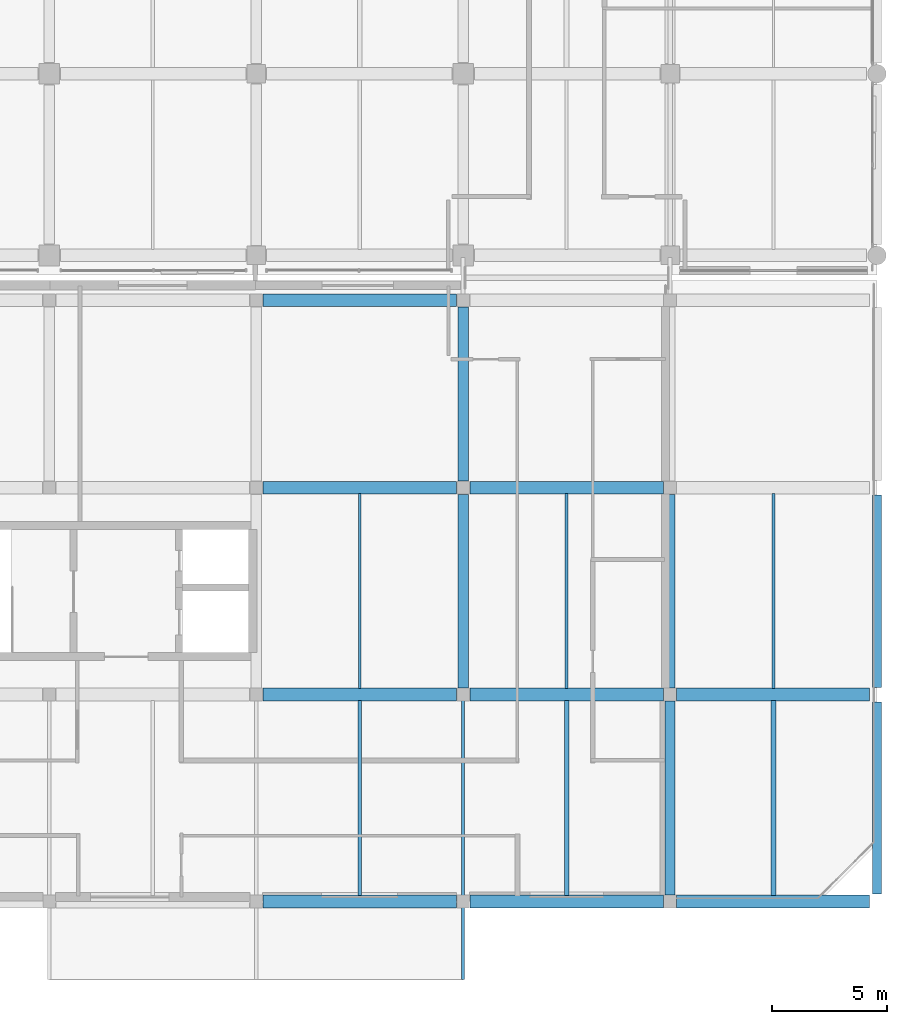
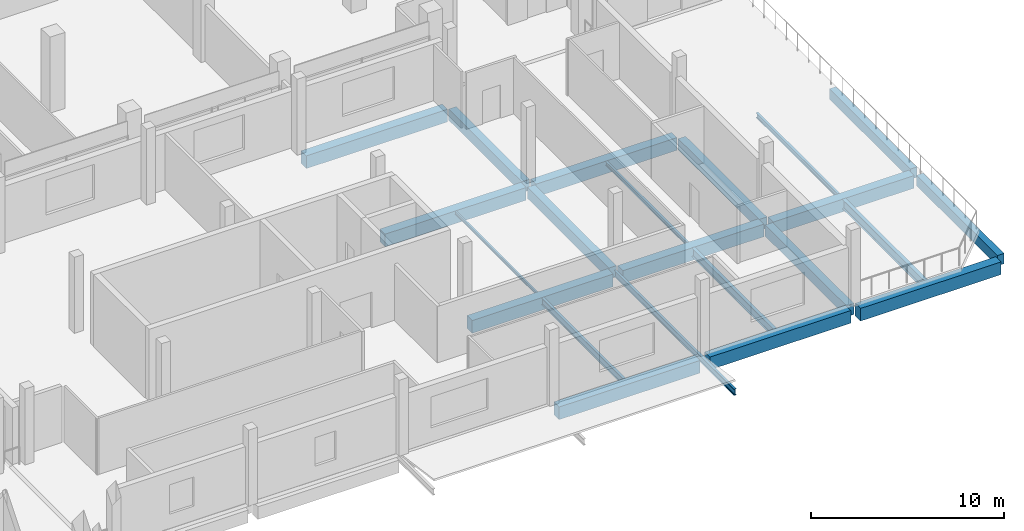
# One storey, part 29 of 111: 22 beams.
"""IFC4 building model written with IfcOpenShell, lengths in metres."""

from ifc_helpers import new_model, si_unit, direction, frame, origin, origin_2d, place, context, subcontext, project, spatial, rectangle, i_section, extrude, material, material_profile, profile_set, type_object, element, save


model = new_model("IFC4")

# Units and contexts
model_context = context("Model", 3, precision=1e-05, world=origin(), true_north=direction((0.0, 1.0)))
body_context = subcontext(model_context, "Body", "Model", "MODEL_VIEW")
ifc_project = project(units=[si_unit("LENGTHUNIT", "METRE"), si_unit("AREAUNIT", "SQUARE_METRE"), si_unit("VOLUMEUNIT", "CUBIC_METRE"), si_unit("PLANEANGLEUNIT", "RADIAN"), si_unit("MASSUNIT", "GRAM", prefix="KILO"), si_unit("THERMODYNAMICTEMPERATUREUNIT", "KELVIN"), si_unit("POWERUNIT", "WATT")], contexts=[model_context])

# Site, building, storey
site_placement = place(None, origin())
site = spatial("IfcSite", under=ifc_project, at=site_placement, CompositionType="ELEMENT")
building_placement = place(site_placement, origin())
building = spatial("IfcBuilding", under=site, at=building_placement, Name="Sindhuravela Promenade Stadium", CompositionType="ELEMENT")
storey_placement = place(building_placement, frame((0.0, 0.0, 9.60009765625)))
storey = spatial("IfcBuildingStorey", under=building, at=storey_placement, Name="L02", CompositionType="ELEMENT", Elevation=9.60009765625)

# Beams
ifc_material_1 = material(Name="Concrete M40", Category="concrete")
ifc_material_profile_1 = material_profile(ifc_material_1, rectangle(XDim=0.39990234375, YDim=0.64990234375, at=origin_2d()), Name="RC 400x650")
ifc_profile_set_1 = profile_set([ifc_material_profile_1], Name="Concrete M40")
beam_type_1 = type_object("IfcBeamType", Name="RC-BM-400x650", PredefinedType="SPANDREL", material=ifc_profile_set_1)
for number, where, z_axis, x_axis, name in (
    (1, (216.0, 9.31494140625, -0.635009765625), (0.0, 1.0, 0.0), (-1.0, 0.0, 0.0), "Primary beam SP01 Pavilion SE L02"),
    (2, (216.0, 18.31494140625, -0.635009765625), (0.0, 1.0, 0.0), (-1.0, 0.0, 0.0), "Primary beam SP01 Pavilion SE L02"),
):
    element("IfcBeam", number, at=place(storey_placement, frame(where, z_axis=z_axis, x_axis=x_axis)), inside=storey, type_object=beam_type_1, Name=name, PredefinedType="SPANDREL", context=body_context, shape_type="SweptSolid", body=[
        extrude(rectangle(XDim=0.39990234375, YDim=0.64990234375, at=origin_2d()), origin(), (0.0, 0.0, 1.0), 8.3701171875),
    ])
ifc_material_profile_2 = material_profile(ifc_material_1, rectangle(XDim=0.449951171875, YDim=0.699951171875, at=origin_2d()), Name="RC 450x700")
ifc_profile_set_2 = profile_set([ifc_material_profile_2], Name="Concrete M40")
beam_type_2 = type_object("IfcBeamType", Name="RC-BM-450x700", PredefinedType="BEAM", material=ifc_profile_set_2)
beam_1_placement = place(storey_placement, frame((198.0, 18.2900390625, -0.585205078125), z_axis=(0.0, 1.0, 0.0), x_axis=(-1.0, 0.0, 0.0)))
element("IfcBeam", 3, at=beam_1_placement, inside=storey, type_object=beam_type_2, Name="Primary beam GB07 Pavilion SE L02", PredefinedType="BEAM", context=body_context, shape_type="SweptSolid", body=[
    extrude(rectangle(XDim=0.449951171875, YDim=0.699951171875, at=origin_2d()), origin(), (0.0, 0.0, 1.0), 8.419921875),
])
beam_2_placement = place(storey_placement, frame((198.0, 27.2900390625, -0.585205078125), z_axis=(0.0, 1.0, 0.0), x_axis=(-1.0, 0.0, 0.0)))
element("IfcBeam", 4, at=beam_2_placement, inside=storey, type_object=beam_type_2, Name="Primary beam GB07 Pavilion SE L02", PredefinedType="BEAM", context=body_context, shape_type="SweptSolid", body=[
    extrude(rectangle(XDim=0.449951171875, YDim=0.699951171875, at=origin_2d()), origin(), (0.0, 0.0, 1.0), 7.570068359375),
])
for number, where, z_axis, x_axis, name in (
    (5, (207.0, 9.2900390625, -0.66015625), (0.0, 1.0, 0.0), (-1.0, 0.0, 0.0), "Primary beam GB07 Pavilion SE L02"),
    (6, (207.0, 18.2900390625, -0.66015625), (0.0, 1.0, 0.0), (-1.0, 0.0, 0.0), "Primary beam GB07 Pavilion SE L02"),
):
    element("IfcBeam", number, at=place(storey_placement, frame(where, z_axis=z_axis, x_axis=x_axis)), inside=storey, type_object=beam_type_2, Name=name, PredefinedType="BEAM", context=body_context, shape_type="SweptSolid", body=[
        extrude(rectangle(XDim=0.449951171875, YDim=0.699951171875, at=origin_2d()), origin(), (0.0, 0.0, 1.0), 8.419921875),
    ])
ifc_material_profile_3 = material_profile(ifc_material_1, rectangle(XDim=0.550048828125, YDim=0.800048828125, at=origin_2d()), Name="RC 550x800")
ifc_profile_set_3 = profile_set([ifc_material_profile_3], Name="Concrete M40")
beam_type_3 = type_object("IfcBeamType", Name="RC-BM-550x800", PredefinedType="BEAM", material=ifc_profile_set_3)
for number, where, z_axis, x_axis, name in (
    (7, (189.2900390625, 9.0, -0.635009765625), (1.0, 0.0, 0.0), (0.0, 1.0, 0.0), "Primary girder GB05 Pavilion SE L02"),
    (8, (198.2900390625, 9.0, -0.635009765625), (1.0, 0.0, 0.0), (0.0, 1.0, 0.0), "Primary girder GB05 Pavilion SE L02"),
):
    element("IfcBeam", number, at=place(storey_placement, frame(where, z_axis=z_axis, x_axis=x_axis)), inside=storey, type_object=beam_type_3, Name=name, PredefinedType="BEAM", context=body_context, shape_type="SweptSolid", body=[
        extrude(rectangle(XDim=0.550048828125, YDim=0.800048828125, at=origin_2d()), origin(), (0.0, 0.0, 1.0), 8.419921875),
    ])
beam_3_placement = place(storey_placement, frame((207.2900390625, 9.0, -0.710205078125), z_axis=(1.0, 0.0, 0.0), x_axis=(0.0, 1.0, 0.0)))
element("IfcBeam", 9, at=beam_3_placement, inside=storey, type_object=beam_type_3, Name="Primary girder GB05 Pavilion SE L02", PredefinedType="BEAM", context=body_context, shape_type="SweptSolid", body=[
    extrude(rectangle(XDim=0.550048828125, YDim=0.800048828125, at=origin_2d()), origin(), (0.0, 0.0, 1.0), 8.39501953125),
])
for number, where, z_axis, x_axis, name in (
    (10, (189.2900390625, 18.0, -0.635009765625), (1.0, 0.0, 0.0), (0.0, 1.0, 0.0), "Primary girder GB05 Pavilion SE L02"),
    (11, (198.2900390625, 18.0, -0.635009765625), (1.0, 0.0, 0.0), (0.0, 1.0, 0.0), "Primary girder GB05 Pavilion SE L02"),
):
    element("IfcBeam", number, at=place(storey_placement, frame(where, z_axis=z_axis, x_axis=x_axis)), inside=storey, type_object=beam_type_3, Name=name, PredefinedType="BEAM", context=body_context, shape_type="SweptSolid", body=[
        extrude(rectangle(XDim=0.550048828125, YDim=0.800048828125, at=origin_2d()), origin(), (0.0, 0.0, 1.0), 8.419921875),
    ])
beam_4_placement = place(storey_placement, frame((207.2900390625, 18.0, -0.710205078125), z_axis=(1.0, 0.0, 0.0), x_axis=(0.0, 1.0, 0.0)))
element("IfcBeam", 12, at=beam_4_placement, inside=storey, type_object=beam_type_3, Name="Primary girder GB05 Pavilion SE L02", PredefinedType="BEAM", context=body_context, shape_type="SweptSolid", body=[
    extrude(rectangle(XDim=0.550048828125, YDim=0.800048828125, at=origin_2d()), origin(), (0.0, 0.0, 1.0), 8.39501953125),
])
for number, where, z_axis, x_axis, name in (
    (13, (189.2900390625, 27.0, -0.635009765625), (1.0, 0.0, 0.0), (0.0, 1.0, 0.0), "Primary girder GB05 Pavilion SE L02"),
    (14, (198.2900390625, 27.0, -0.635009765625), (1.0, 0.0, 0.0), (0.0, 1.0, 0.0), "Primary girder GB05 Pavilion SE L02"),
    (15, (189.2900390625, 35.14990234375, -0.635009765625), (1.0, 0.0, 0.0), (0.0, 1.0, 0.0), "Primary girder GB05 Pavilion SE L02"),
):
    element("IfcBeam", number, at=place(storey_placement, frame(where, z_axis=z_axis, x_axis=x_axis)), inside=storey, type_object=beam_type_3, Name=name, PredefinedType="BEAM", context=body_context, shape_type="SweptSolid", body=[
        extrude(rectangle(XDim=0.550048828125, YDim=0.800048828125, at=origin_2d()), origin(), (0.0, 0.0, 1.0), 8.419921875),
    ])
ifc_material_2 = material(Name="Steel E350 (IS 2062 E350BR)", Category="steel")
ifc_material_profile_4 = material_profile(ifc_material_2, i_section(OverallWidth=0.10009765625, OverallDepth=0.199951171875, WebThickness=0.005615234375, FlangeThickness=0.0107421875, FilletRadius=0.010986328125, at=origin_2d()), Name="ISMB 200")
ifc_profile_set_4 = profile_set([ifc_material_profile_4], Name="Steel E350 (IS 2062 E350BR)")
beam_type_4 = type_object("IfcBeamType", Name="ST-BM-MB200", PredefinedType="JOIST", material=ifc_profile_set_4)
beam_5_placement = place(storey_placement, frame((193.5, 18.264892578125, -0.335205078125), z_axis=(0.0, 1.0, 0.0), x_axis=(-1.0, 0.0, 0.0)))
element("IfcBeam", 16, at=beam_5_placement, inside=storey, type_object=beam_type_4, Name="Secondary floor joist SB01 Pavilion SE L02", PredefinedType="JOIST", context=body_context, shape_type="SweptSolid", body=[
    extrude(i_section(OverallWidth=0.10009765625, OverallDepth=0.199951171875, WebThickness=0.005615234375, FlangeThickness=0.0107421875, FilletRadius=0.010986328125, at=origin_2d()), origin(), (0.0, 0.0, 1.0), 8.47021484375),
])
ifc_material_profile_5 = material_profile(ifc_material_2, i_section(OverallWidth=0.125, OverallDepth=0.25, WebThickness=0.0068359375, FlangeThickness=0.012451171875, FilletRadius=0.012939453125, at=origin_2d()), Name="ISMB 250")
ifc_profile_set_5 = profile_set([ifc_material_profile_5], Name="Steel E350 (IS 2062 E350BR)")
beam_type_5 = type_object("IfcBeamType", Name="ST-BM-MB250", PredefinedType="JOIST", material=ifc_profile_set_5)
beam_6_placement = place(storey_placement, frame((202.5, 18.264892578125, -0.360107421875), z_axis=(0.0, 1.0, 0.0), x_axis=(-1.0, 0.0, 0.0)))
element("IfcBeam", 17, at=beam_6_placement, inside=storey, type_object=beam_type_5, Name="Secondary floor joist SB02 Pavilion SE L02", PredefinedType="JOIST", context=body_context, shape_type="SweptSolid", body=[
    extrude(i_section(OverallWidth=0.125, OverallDepth=0.25, WebThickness=0.0068359375, FlangeThickness=0.012451171875, FilletRadius=0.012939453125, at=origin_2d()), origin(), (0.0, 0.0, 1.0), 8.47021484375),
])
ifc_material_profile_6 = material_profile(ifc_material_2, i_section(OverallWidth=0.139892578125, OverallDepth=0.300048828125, WebThickness=0.0078125, FlangeThickness=0.01318359375, FilletRadius=0.013916015625, at=origin_2d()), Name="ISMB 300")
ifc_profile_set_6 = profile_set([ifc_material_profile_6], Name="Steel E350 (IS 2062 E350BR)")
beam_type_6 = type_object("IfcBeamType", Name="ST-BM-MB300", PredefinedType="JOIST", material=ifc_profile_set_6)
beam_7_placement = place(storey_placement, frame((211.5, 18.264892578125, -0.460205078125), z_axis=(0.0, 1.0, 0.0), x_axis=(-1.0, 0.0, 0.0)))
element("IfcBeam", 18, at=beam_7_placement, inside=storey, type_object=beam_type_6, Name="Secondary floor joist SB03 Pavilion SE L02", PredefinedType="JOIST", context=body_context, shape_type="SweptSolid", body=[
    extrude(i_section(OverallWidth=0.139892578125, OverallDepth=0.300048828125, WebThickness=0.0078125, FlangeThickness=0.01318359375, FilletRadius=0.013916015625, at=origin_2d()), origin(), (0.0, 0.0, 1.0), 8.47021484375),
])
ifc_material_profile_7 = material_profile(ifc_material_2, i_section(OverallWidth=0.139892578125, OverallDepth=0.39990234375, WebThickness=0.0087890625, FlangeThickness=0.01611328125, FilletRadius=0.013916015625, at=origin_2d()), Name="ISMB 400")
ifc_profile_set_7 = profile_set([ifc_material_profile_7], Name="Steel E350 (IS 2062 E350BR)")
beam_type_7 = type_object("IfcBeamType", Name="ST-BM-MB400", PredefinedType="BEAM", material=ifc_profile_set_7)
beam_8_placement = place(storey_placement, frame((198.0, 18.0, -0.4501953125), z_axis=(0.0, -1.0, 0.0), x_axis=(1.0, 0.0, 0.0)))
element("IfcBeam", 19, at=beam_8_placement, inside=storey, type_object=beam_type_7, Name="Main entrance canopy cantilever beam SE-3", PredefinedType="BEAM", context=body_context, shape_type="SweptSolid", body=[
    extrude(i_section(OverallWidth=0.139892578125, OverallDepth=0.39990234375, WebThickness=0.0087890625, FlangeThickness=0.01611328125, FilletRadius=0.013916015625, at=origin_2d()), origin(), (0.0, 0.0, 1.0), 12.39990234375),
])
ifc_material_profile_8 = material_profile(ifc_material_2, i_section(OverallWidth=0.14990234375, OverallDepth=0.449951171875, WebThickness=0.009521484375, FlangeThickness=0.017333984375, FilletRadius=0.014892578125, at=origin_2d()), Name="ISMB 450")
ifc_profile_set_8 = profile_set([ifc_material_profile_8], Name="Steel E350 (IS 2062 E350BR)")
beam_type_8 = type_object("IfcBeamType", Name="ST-BM-MB450", PredefinedType="BEAM", material=ifc_profile_set_8)
beam_9_placement = place(storey_placement, frame((193.5, 9.264892578125, -0.460205078125), z_axis=(0.0, 1.0, 0.0), x_axis=(-1.0, 0.0, 0.0)))
element("IfcBeam", 20, at=beam_9_placement, inside=storey, type_object=beam_type_8, Name="Secondary floor joist SB06 Pavilion SE L02", PredefinedType="BEAM", context=body_context, shape_type="SweptSolid", body=[
    extrude(i_section(OverallWidth=0.14990234375, OverallDepth=0.449951171875, WebThickness=0.009521484375, FlangeThickness=0.017333984375, FilletRadius=0.014892578125, at=origin_2d()), origin(), (0.0, 0.0, 1.0), 8.47021484375),
])
ifc_material_profile_9 = material_profile(ifc_material_2, i_section(OverallWidth=0.18994140625, OverallDepth=0.550048828125, WebThickness=0.01123046875, FlangeThickness=0.019287109375, FilletRadius=0.01806640625, at=origin_2d()), Name="ISMB 550")
ifc_profile_set_9 = profile_set([ifc_material_profile_9], Name="Steel E350 (IS 2062 E350BR)")
beam_type_9 = type_object("IfcBeamType", Name="ST-BM-MB550", PredefinedType="SPANDREL", material=ifc_profile_set_9)
beam_10_placement = place(storey_placement, frame((202.5, 9.264892578125, -0.510009765625), z_axis=(0.0, 1.0, 0.0), x_axis=(-1.0, 0.0, 0.0)))
element("IfcBeam", 21, at=beam_10_placement, inside=storey, type_object=beam_type_9, Name="Secondary floor joist SB08 Pavilion SE L02", PredefinedType="SPANDREL", context=body_context, shape_type="SweptSolid", body=[
    extrude(i_section(OverallWidth=0.18994140625, OverallDepth=0.550048828125, WebThickness=0.01123046875, FlangeThickness=0.019287109375, FilletRadius=0.01806640625, at=origin_2d()), origin(), (0.0, 0.0, 1.0), 8.47021484375),
])
ifc_material_profile_10 = material_profile(ifc_material_2, i_section(OverallWidth=0.2099609375, OverallDepth=0.60009765625, WebThickness=0.011962890625, FlangeThickness=0.020751953125, FilletRadius=0.02001953125, at=origin_2d()), Name="ISMB 600")
ifc_profile_set_10 = profile_set([ifc_material_profile_10], Name="Steel E350 (IS 2062 E350BR)")
beam_type_10 = type_object("IfcBeamType", Name="ST-BM-MB600", PredefinedType="BEAM", material=ifc_profile_set_10)
beam_11_placement = place(storey_placement, frame((211.5, 9.264892578125, -0.610107421875), z_axis=(0.0, 1.0, 0.0), x_axis=(-1.0, 0.0, 0.0)))
element("IfcBeam", 22, at=beam_11_placement, inside=storey, type_object=beam_type_10, Name="Secondary floor joist SB09 Pavilion SE L02", PredefinedType="BEAM", context=body_context, shape_type="SweptSolid", body=[
    extrude(i_section(OverallWidth=0.2099609375, OverallDepth=0.60009765625, WebThickness=0.011962890625, FlangeThickness=0.020751953125, FilletRadius=0.02001953125, at=origin_2d()), origin(), (0.0, 0.0, 1.0), 8.47021484375),
])

save(model, "model.ifc")
